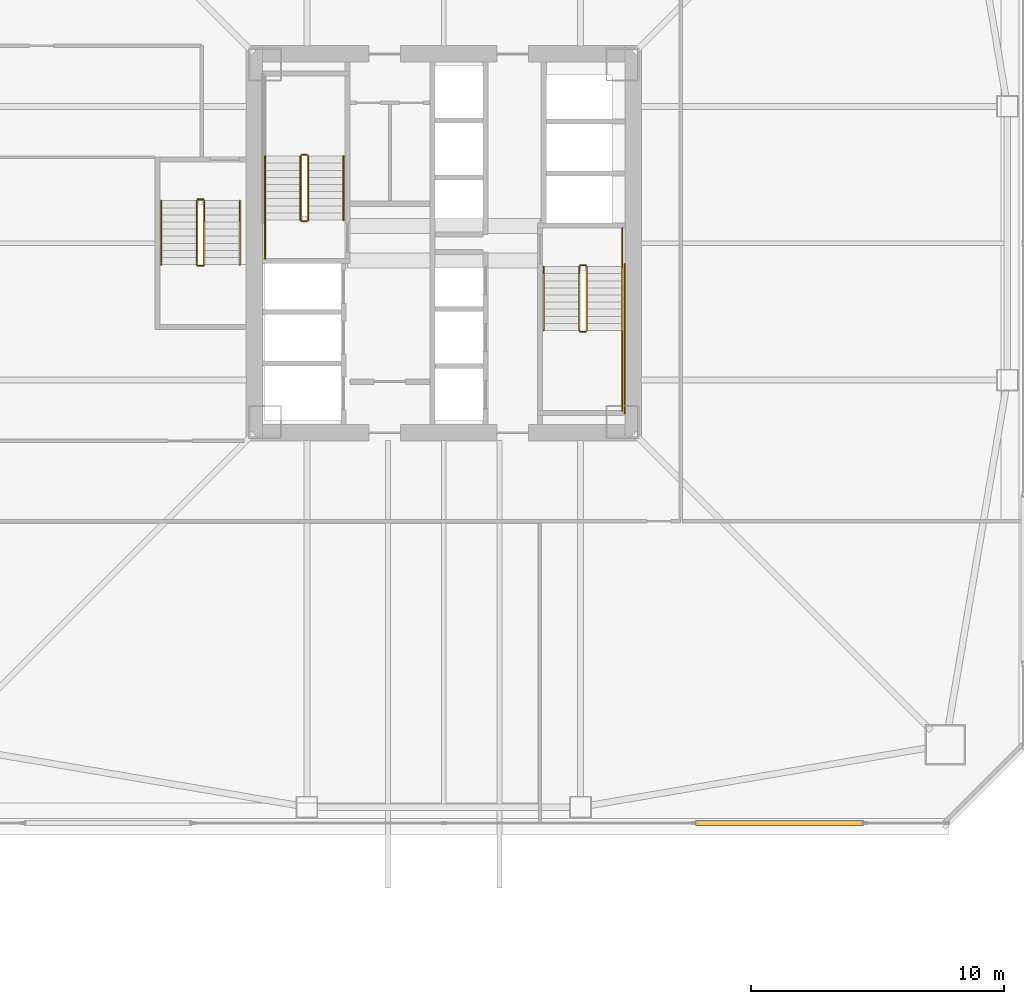
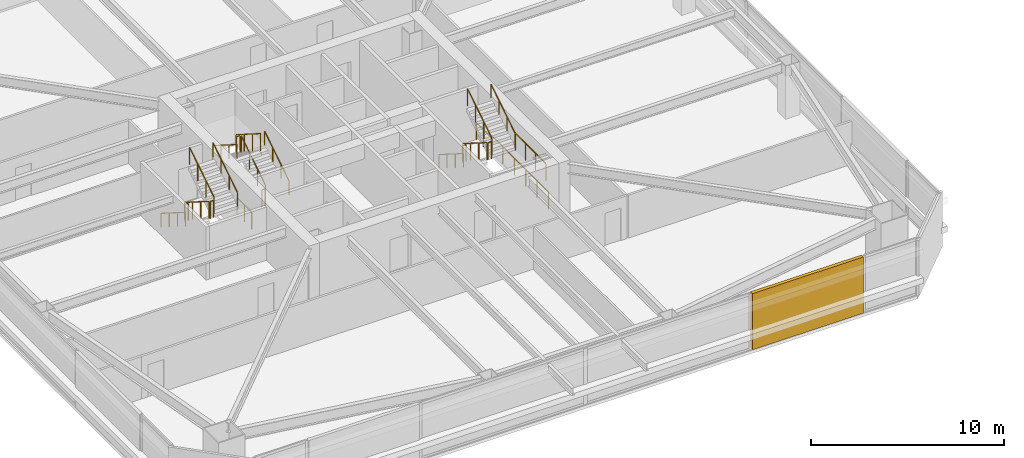
# One storey, part 43 of 48: 22 railings, 1 covering.
"""IFC4 building model written with IfcOpenShell, lengths in metres."""

import ifcopenshell
import ifcopenshell.guid

model = None  # the IFC model being written
_history = None  # IfcOwnerHistory: only IFC2X3 demands one
_inside = {}  # id of a spatial element -> (the spatial element, [elements in it])
_under = {}  # id of a project, library or spatial element -> (it, [spatial elements below it])
_declared = {}  # id of a project -> (the project, [libraries it declares])
_typed = {}  # id of a type object -> (the type object, [elements of that type])
_made_of = {}  # id of a material, layer set ... -> (it, [elements and type objects made of it])


def new_model(schema):
    """Start an empty IFC model of exactly this schema.

    Asked for "IFC4X3", IfcOpenShell would pick the latest addendum, in which some entities
    have other attributes; the version numbers below select the first issue.
    IFC2X3 requires an IfcOwnerHistory on every rooted entity: one is made here for all.
    """
    global model, _history
    if schema == "IFC4X3":
        model = ifcopenshell.file(schema_version=(4, 3, 0, 0))
    else:
        model = ifcopenshell.file(schema=schema)
    _inside.clear()
    _under.clear()
    _declared.clear()
    _typed.clear()
    _made_of.clear()
    _history = None
    if model.schema == "IFC2X3":
        org = make("IfcOrganization", Name="unknown")
        user = make(
            "IfcPersonAndOrganization",
            ThePerson=make("IfcPerson", FamilyName="unknown"),
            TheOrganization=org,
        )
        app = make(
            "IfcApplication",
            ApplicationDeveloper=org,
            Version="unknown",
            ApplicationFullName="unknown",
            ApplicationIdentifier="unknown",
        )
        _history = make(
            "IfcOwnerHistory",
            OwningUser=user,
            OwningApplication=app,
            ChangeAction="ADDED",
            CreationDate=0,
        )
    return model


def make(cls, **values):
    """One entity of the class cls with the attributes given. An attribute that is None is left unset."""
    return model.create_entity(
        cls, **{name: value for name, value in values.items() if value is not None}
    )


def rooted(cls, **values):
    """An entity with a GlobalId (a new one), such as an element, a storey or a relation."""
    return make(cls, GlobalId=ifcopenshell.guid.new(), OwnerHistory=_history, **values)


def si_unit(unit_type, name, prefix=None):
    """IfcSIUnit, for example si_unit("LENGTHUNIT", "METRE", prefix="MILLI")."""
    return make("IfcSIUnit", UnitType=unit_type, Prefix=prefix, Name=name)


def assignment(units):
    """IfcUnitAssignment: the units of a project."""
    return None if units is None else make("IfcUnitAssignment", Units=units)


def point(xyz):
    """IfcCartesianPoint."""
    return None if xyz is None else make("IfcCartesianPoint", Coordinates=xyz)


def direction(xyz):
    """IfcDirection."""
    return None if xyz is None else make("IfcDirection", DirectionRatios=xyz)


def frame(location, z_axis=None, x_axis=None):
    """IfcAxis2Placement3D, a coordinate frame: its origin and axes. An axis left out is left unset."""
    return make(
        "IfcAxis2Placement3D",
        Location=point(location),
        Axis=direction(z_axis),
        RefDirection=direction(x_axis),
    )


def frame_2d(location, x_axis=None):
    """IfcAxis2Placement2D, a coordinate frame in the plane: its origin and x axis."""
    return make(
        "IfcAxis2Placement2D", Location=point(location), RefDirection=direction(x_axis)
    )


def origin():
    """The frame at (0, 0, 0) with its axes left unset."""
    return frame((0.0, 0.0, 0.0))


def origin_2d():
    """The frame at (0, 0) in the plane with its x axis left unset."""
    return frame_2d((0.0, 0.0))


def place(relative_to, where):
    """IfcLocalPlacement: puts the frame where relative to a parent placement (None: the world)."""
    return make(
        "IfcLocalPlacement", PlacementRelTo=relative_to, RelativePlacement=where
    )


def context(
    kind, dimensions, precision=None, world=None, true_north=None, identifier=None
):
    """IfcGeometricRepresentationContext, for example the 3D "Model" context."""
    return make(
        "IfcGeometricRepresentationContext",
        ContextIdentifier=identifier,
        ContextType=kind,
        CoordinateSpaceDimension=dimensions,
        Precision=precision,
        WorldCoordinateSystem=world,
        TrueNorth=true_north,
    )


def subcontext(parent, identifier, kind, view, scale=None):
    """IfcGeometricRepresentationSubContext, for example "Body" below "Model"."""
    return make(
        "IfcGeometricRepresentationSubContext",
        ContextIdentifier=identifier,
        ContextType=kind,
        ParentContext=parent,
        TargetScale=scale,
        TargetView=view,
    )


def project(units=None, contexts=None):
    """IfcProject with its units and contexts."""
    return rooted(
        "IfcProject",
        Name="project",
        RepresentationContexts=contexts,
        UnitsInContext=assignment(units),
    )


def spatial(cls, under=None, at=None, **own):
    """A site, building, storey or space (cls), placed at a placement, below another one or the project."""
    s = rooted(cls, ObjectPlacement=at, **own)
    if under is not None:
        _under.setdefault(under.id(), (under, []))[1].append(s)
    return s


def profile(cls, at=None, kind="AREA", **sizes):
    """A parametric profile (cls). Its sizes go by their IFC names, for example OverallWidth=200.0."""
    return make(cls, ProfileType=kind, Position=at, **sizes)


def rectangle(**sizes):
    """IfcRectangleProfileDef."""
    return profile("IfcRectangleProfileDef", **sizes)


def extrude(swept, where, along, depth):
    """IfcExtrudedAreaSolid: the profile swept, set in the frame where, extruded along a direction by depth."""
    return make(
        "IfcExtrudedAreaSolid",
        SweptArea=swept,
        Position=where,
        ExtrudedDirection=direction(along),
        Depth=depth,
    )


def shape(context_of_items, identifier, shape_type, items):
    """IfcShapeRepresentation: the items that make up one representation, for example the "Body"."""
    return make(
        "IfcShapeRepresentation",
        ContextOfItems=context_of_items,
        RepresentationIdentifier=identifier,
        RepresentationType=shape_type,
        Items=items,
    )


def material(Name=None, Category=None):
    """IfcMaterial."""
    return make("IfcMaterial", Name=Name, Category=Category)


def layer(
    of_material, thickness, ventilated=None, Name=None, Category=None, Priority=None
):
    """IfcMaterialLayer: one layer of a wall or slab, of a material (None: an air gap)."""
    return make(
        "IfcMaterialLayer",
        Material=of_material,
        LayerThickness=thickness,
        IsVentilated=ventilated,
        Name=Name,
        Category=Category,
        Priority=Priority,
    )


def layer_set(layers, Name=None):
    """IfcMaterialLayerSet."""
    return make("IfcMaterialLayerSet", MaterialLayers=layers, LayerSetName=Name)


def made_of(thing, what):
    """Note that an element or type object is made of a material, layer set ...; save() writes the relation."""
    if what is not None:
        _made_of.setdefault(what.id(), (what, []))[1].append(thing)
    return thing


def type_object(cls, material=None, **own):
    """A type object (cls), such as IfcWallType, which elements share."""
    return made_of(rooted(cls, **own), material)


def element(
    cls,
    number,
    at=None,
    inside=None,
    cuts=None,
    type_object=None,
    material=None,
    context=None,
    identifier="Body",
    shape_type=None,
    held_by="IfcProductDefinitionShape",
    body=None,
    shapes=None,
    **own,
):
    """One element of the class cls, such as IfcWall. Its Tag is "e" and its number.

    at: its placement. inside: the storey or other place that contains it. cuts: it is an
    opening in that element (IfcRelVoidsElement). A single representation is given by context,
    identifier, shape_type and body (its items); several are given by shapes. held_by: the class
    of the entity that holds the representations. save() writes the other relations.
    """
    e = rooted(cls, Tag="e%d" % number, ObjectPlacement=at, **own)
    if body is not None:
        shapes = [shape(context, identifier, shape_type, body)]
    if shapes is not None:
        e.Representation = make(held_by, Representations=shapes)
    if inside is not None:
        _inside.setdefault(inside.id(), (inside, []))[1].append(e)
    if cuts is not None:
        rooted(
            "IfcRelVoidsElement", RelatingBuildingElement=cuts, RelatedOpeningElement=e
        )
    if type_object is not None:
        _typed.setdefault(type_object.id(), (type_object, []))[1].append(e)
    return made_of(e, material)


def aggregate(whole, parts):
    """IfcRelAggregates: a whole, such as a stair, and the parts it consists of."""
    return rooted("IfcRelAggregates", RelatingObject=whole, RelatedObjects=parts)


def save(model, path):
    """Write the relations noted so far, then the file.

    IfcRelAggregates (storeys below a building ...), IfcRelContainedInSpatialStructure (elements
    in a storey), IfcRelDefinesByType, IfcRelAssociatesMaterial and IfcRelDeclares: one each for
    every whole, place, type object, material and project.
    """
    for whole, parts in _under.values():
        aggregate(whole, parts)
    for where, things in _inside.values():
        rooted(
            "IfcRelContainedInSpatialStructure",
            RelatedElements=things,
            RelatingStructure=where,
        )
    for kind, things in _typed.values():
        rooted("IfcRelDefinesByType", RelatedObjects=things, RelatingType=kind)
    for what, things in _made_of.values():
        rooted("IfcRelAssociatesMaterial", RelatedObjects=things, RelatingMaterial=what)
    for by, libraries in _declared.values():
        rooted("IfcRelDeclares", RelatingContext=by, RelatedDefinitions=libraries)
    model.write(path)


model = new_model("IFC4")

# Units and contexts
model_context = context("Model", 3, precision=1e-05, world=origin(), true_north=direction((0.0, 1.0)))
body_context = subcontext(model_context, "Body", "Model", "MODEL_VIEW")
ifc_project = project(units=[si_unit("LENGTHUNIT", "METRE"), si_unit("AREAUNIT", "SQUARE_METRE"), si_unit("VOLUMEUNIT", "CUBIC_METRE"), si_unit("PLANEANGLEUNIT", "RADIAN"), si_unit("MASSUNIT", "GRAM", prefix="KILO")], contexts=[model_context])

# Site, building, storey
site_placement = place(None, origin())
site = spatial("IfcSite", under=ifc_project, at=site_placement, CompositionType="ELEMENT")
building_placement = place(site_placement, origin())
building = spatial("IfcBuilding", under=site, at=building_placement, Name="Tashvorn Skyway Center", CompositionType="ELEMENT")
storey_placement = place(building_placement, frame((0.0, 0.0, 53.0)))
storey = spatial("IfcBuildingStorey", under=building, at=storey_placement, Name="L13", CompositionType="ELEMENT", Elevation=53.0)

# Covering
ifc_material_1 = material(Name="Precast concrete C40/50", Category="concrete")
ifc_layer = layer(ifc_material_1, 0.199951171875)
ifc_layer_set = layer_set([ifc_layer], Name="Precast concrete C40/50")
covering_type = type_object("IfcCoveringType", Name="COV-BRACE-CLAD", PredefinedType="CLADDING", material=ifc_layer_set)
covering_placement = place(storey_placement, frame((55.25341796875, 9.1201171875, 0.0), z_axis=(0.0, 0.0, 1.0), x_axis=(-1.0, 0.0, 0.0)))
element("IfcCovering", 1, at=covering_placement, inside=storey, type_object=covering_type, Name="Tower 1 L13 South Unitised Curtain Wall Mega-Brace Cladding Band 1", PredefinedType="CLADDING", context=body_context, shape_type="SweptSolid", body=[
    extrude(rectangle(XDim=6.626708984375, YDim=0.199951171875, at=origin_2d()), origin(), (0.0, 0.0, 1.0), 3.550048828125),
])

# Railings
ifc_material_2 = material(Name="Brushed stainless steel 316", Category="steel")
railing_type_1 = type_object("IfcRailingType", Name="RAIL-HAND-920", PredefinedType="HANDRAIL", material=ifc_material_2)
railing_1_placement = place(storey_placement, frame((38.050048828125, 32.919921875, 0.177490234375)))
element("IfcRailing", 2, at=railing_1_placement, inside=storey, type_object=railing_type_1, Name="L13 ST-T1-1 stair handrail 1", PredefinedType="HANDRAIL", context=body_context, shape_type="SweptSolid", body=[
    extrude(rectangle(XDim=0.048095703125, YDim=0.048095703125, at=origin_2d()), frame((0.0, 0.0, 0.8759765625), z_axis=(0.0, 0.84460694969, 0.535386869969), x_axis=(-1.0, 0.0, 0.0)), (0.0, 0.0, 1.0), 2.983642578125),
    extrude(rectangle(XDim=0.0419921875, YDim=0.0419921875, at=origin_2d()), origin(), (0.0, 0.0, 1.0), 0.851806640625),
    extrude(rectangle(XDim=0.0419921875, YDim=0.0419921875, at=origin_2d()), frame((0.0, 0.840087890625, 0.532470703125)), (0.0, 0.0, 1.0), 0.851806640625),
    extrude(rectangle(XDim=0.0419921875, YDim=0.0419921875, at=origin_2d()), frame((0.0, 1.679931640625, 1.06494140625)), (0.0, 0.0, 1.0), 0.851806640625),
    extrude(rectangle(XDim=0.0419921875, YDim=0.0419921875, at=origin_2d()), frame((0.0, 2.52001953125, 1.597412109375)), (0.0, 0.0, 1.0), 0.851806640625),
])
railing_2_placement = place(storey_placement, frame((34.949951171875, 35.43994140625, 1.952392578125)))
element("IfcRailing", 3, at=railing_2_placement, inside=storey, type_object=railing_type_1, Name="L13 ST-T1-1 stair handrail 2", PredefinedType="HANDRAIL", context=body_context, shape_type="SweptSolid", body=[
    extrude(rectangle(XDim=0.048095703125, YDim=0.048095703125, at=origin_2d()), frame((0.0, 0.0, 0.8759765625), z_axis=(0.0, -0.84456994832, 0.535445237532), x_axis=(1.0, 0.0, 0.0)), (0.0, 0.0, 1.0), 2.98388671875),
    extrude(rectangle(XDim=0.0419921875, YDim=0.0419921875, at=origin_2d()), origin(), (0.0, 0.0, 1.0), 0.851806640625),
    extrude(rectangle(XDim=0.0419921875, YDim=0.0419921875, at=origin_2d()), frame((0.0, -0.840087890625, 0.532470703125)), (0.0, 0.0, 1.0), 0.851806640625),
    extrude(rectangle(XDim=0.0419921875, YDim=0.0419921875, at=origin_2d()), frame((0.0, -1.679931640625, 1.065185546875)), (0.0, 0.0, 1.0), 0.851806640625),
    extrude(rectangle(XDim=0.0419921875, YDim=0.0419921875, at=origin_2d()), frame((0.0, -2.52001953125, 1.59765625)), (0.0, 0.0, 1.0), 0.851806640625),
])
railing_3_placement = place(storey_placement, frame((45.949951171875, 31.080078125, 0.177490234375)))
element("IfcRailing", 4, at=railing_3_placement, inside=storey, type_object=railing_type_1, Name="L13 ST-T1-2 stair handrail 1", PredefinedType="HANDRAIL", context=body_context, shape_type="SweptSolid", body=[
    extrude(rectangle(XDim=0.048095703125, YDim=0.048095703125, at=origin_2d()), frame((0.0, 0.0, 0.8759765625), z_axis=(0.0, -0.84460694969, 0.535386869969), x_axis=(1.0, 0.0, 0.0)), (0.0, 0.0, 1.0), 2.983642578125),
    extrude(rectangle(XDim=0.0419921875, YDim=0.0419921875, at=origin_2d()), origin(), (0.0, 0.0, 1.0), 0.851806640625),
    extrude(rectangle(XDim=0.0419921875, YDim=0.0419921875, at=origin_2d()), frame((0.0, -0.840087890625, 0.532470703125)), (0.0, 0.0, 1.0), 0.851806640625),
    extrude(rectangle(XDim=0.0419921875, YDim=0.0419921875, at=origin_2d()), frame((0.0, -1.679931640625, 1.06494140625)), (0.0, 0.0, 1.0), 0.851806640625),
    extrude(rectangle(XDim=0.0419921875, YDim=0.0419921875, at=origin_2d()), frame((0.0, -2.52001953125, 1.597412109375)), (0.0, 0.0, 1.0), 0.851806640625),
])
railing_4_placement = place(storey_placement, frame((49.050048828125, 28.56005859375, 1.952392578125)))
element("IfcRailing", 5, at=railing_4_placement, inside=storey, type_object=railing_type_1, Name="L13 ST-T1-2 stair handrail 2", PredefinedType="HANDRAIL", context=body_context, shape_type="SweptSolid", body=[
    extrude(rectangle(XDim=0.048095703125, YDim=0.048095703125, at=origin_2d()), frame((0.0, 0.0, 0.8759765625), z_axis=(0.0, 0.84456994832, 0.535445237532), x_axis=(-1.0, 0.0, 0.0)), (0.0, 0.0, 1.0), 2.98388671875),
    extrude(rectangle(XDim=0.0419921875, YDim=0.0419921875, at=origin_2d()), origin(), (0.0, 0.0, 1.0), 0.851806640625),
    extrude(rectangle(XDim=0.0419921875, YDim=0.0419921875, at=origin_2d()), frame((0.0, 0.840087890625, 0.532470703125)), (0.0, 0.0, 1.0), 0.851806640625),
    extrude(rectangle(XDim=0.0419921875, YDim=0.0419921875, at=origin_2d()), frame((0.0, 1.679931640625, 1.065185546875)), (0.0, 0.0, 1.0), 0.851806640625),
    extrude(rectangle(XDim=0.0419921875, YDim=0.0419921875, at=origin_2d()), frame((0.0, 2.52001953125, 1.59765625)), (0.0, 0.0, 1.0), 0.851806640625),
])
railing_5_placement = place(storey_placement, frame((30.85009765625, 33.679931640625, 0.177490234375)))
element("IfcRailing", 6, at=railing_5_placement, inside=storey, type_object=railing_type_1, Name="L13 ST-T1-3 stair handrail 1", PredefinedType="HANDRAIL", context=body_context, shape_type="SweptSolid", body=[
    extrude(rectangle(XDim=0.048095703125, YDim=0.048095703125, at=origin_2d()), frame((0.0, 0.0, 0.8759765625), z_axis=(0.0, -0.84460694969, 0.535386869969), x_axis=(1.0, 0.0, 0.0)), (0.0, 0.0, 1.0), 2.983642578125),
    extrude(rectangle(XDim=0.0419921875, YDim=0.0419921875, at=origin_2d()), origin(), (0.0, 0.0, 1.0), 0.851806640625),
    extrude(rectangle(XDim=0.0419921875, YDim=0.0419921875, at=origin_2d()), frame((0.0, -0.840087890625, 0.532470703125)), (0.0, 0.0, 1.0), 0.851806640625),
    extrude(rectangle(XDim=0.0419921875, YDim=0.0419921875, at=origin_2d()), frame((0.0, -1.679931640625, 1.06494140625)), (0.0, 0.0, 1.0), 0.851806640625),
    extrude(rectangle(XDim=0.0419921875, YDim=0.0419921875, at=origin_2d()), frame((0.0, -2.52001953125, 1.597412109375)), (0.0, 0.0, 1.0), 0.851806640625),
])
railing_6_placement = place(storey_placement, frame((33.949951171875, 31.159912109375, 1.952392578125)))
element("IfcRailing", 7, at=railing_6_placement, inside=storey, type_object=railing_type_1, Name="L13 ST-T1-3 stair handrail 2", PredefinedType="HANDRAIL", context=body_context, shape_type="SweptSolid", body=[
    extrude(rectangle(XDim=0.048095703125, YDim=0.048095703125, at=origin_2d()), frame((0.0, 0.0, 0.8759765625), z_axis=(0.0, 0.84456994832, 0.535445237532), x_axis=(-1.0, 0.0, 0.0)), (0.0, 0.0, 1.0), 2.98388671875),
    extrude(rectangle(XDim=0.0419921875, YDim=0.0419921875, at=origin_2d()), origin(), (0.0, 0.0, 1.0), 0.851806640625),
    extrude(rectangle(XDim=0.0419921875, YDim=0.0419921875, at=origin_2d()), frame((0.0, 0.840087890625, 0.532470703125)), (0.0, 0.0, 1.0), 0.851806640625),
    extrude(rectangle(XDim=0.0419921875, YDim=0.0419921875, at=origin_2d()), frame((0.0, 1.679931640625, 1.065185546875)), (0.0, 0.0, 1.0), 0.851806640625),
    extrude(rectangle(XDim=0.0419921875, YDim=0.0419921875, at=origin_2d()), frame((0.0, 2.52001953125, 1.59765625)), (0.0, 0.0, 1.0), 0.851806640625),
])
ifc_material_3 = material(Name="Painted galvanized steel S355", Category="steel")
railing_type_2 = type_object("IfcRailingType", Name="RAIL-STGUARD-1100", PredefinedType="GUARDRAIL", material=ifc_material_3)
railing_7_placement = place(storey_placement, frame((36.64990234375, 32.919921875, 0.177490234375)))
element("IfcRailing", 8, at=railing_7_placement, inside=storey, type_object=railing_type_2, Name="L13 ST-T1-1 stair guard 1", PredefinedType="GUARDRAIL", context=body_context, shape_type="SweptSolid", body=[
    extrude(rectangle(XDim=0.048095703125, YDim=0.048095703125, at=origin_2d()), frame((0.0, 0.0, 1.076171875), z_axis=(0.0, 0.84460694969, 0.535386869969), x_axis=(-1.0, 0.0, 0.0)), (0.0, 0.0, 1.0), 2.983642578125),
    extrude(rectangle(XDim=0.0419921875, YDim=0.0419921875, at=origin_2d()), origin(), (0.0, 0.0, 1.0), 1.052001953125),
    extrude(rectangle(XDim=0.0419921875, YDim=0.0419921875, at=origin_2d()), frame((0.0, 0.840087890625, 0.532470703125)), (0.0, 0.0, 1.0), 1.052001953125),
    extrude(rectangle(XDim=0.0419921875, YDim=0.0419921875, at=origin_2d()), frame((0.0, 1.679931640625, 1.06494140625)), (0.0, 0.0, 1.0), 1.052001953125),
    extrude(rectangle(XDim=0.0419921875, YDim=0.0419921875, at=origin_2d()), frame((0.0, 2.52001953125, 1.597412109375)), (0.0, 0.0, 1.0), 1.052001953125),
])
railing_8_placement = place(storey_placement, frame((36.60009765625, 35.489990234375, 1.77490234375)))
element("IfcRailing", 9, at=railing_8_placement, inside=storey, type_object=railing_type_2, Name="L13 ST-T1-1 stair guard 2", PredefinedType="GUARDRAIL", context=body_context, shape_type="SweptSolid", body=[
    extrude(rectangle(XDim=0.048095703125, YDim=0.048095703125, at=origin_2d()), frame((0.0, 0.0, 1.076171875), z_axis=(-1.0, 0.0, 0.0), x_axis=(0.0, -1.0, 0.0)), (0.0, 0.0, 1.0), 0.2001953125),
    extrude(rectangle(XDim=0.0419921875, YDim=0.0419921875, at=origin_2d()), origin(), (0.0, 0.0, 1.0), 1.052001953125),
    extrude(rectangle(XDim=0.0419921875, YDim=0.0419921875, at=origin_2d()), frame((-0.2001953125, 0.0, 0.0)), (0.0, 0.0, 1.0), 1.052001953125),
])
railing_9_placement = place(storey_placement, frame((36.35009765625, 35.43994140625, 1.952392578125)))
element("IfcRailing", 10, at=railing_9_placement, inside=storey, type_object=railing_type_2, Name="L13 ST-T1-1 stair guard 4", PredefinedType="GUARDRAIL", context=body_context, shape_type="SweptSolid", body=[
    extrude(rectangle(XDim=0.048095703125, YDim=0.048095703125, at=origin_2d()), frame((0.0, 0.0, 1.076171875), z_axis=(0.0, -0.84456994832, 0.535445237532), x_axis=(1.0, 0.0, 0.0)), (0.0, 0.0, 1.0), 2.98388671875),
    extrude(rectangle(XDim=0.0419921875, YDim=0.0419921875, at=origin_2d()), origin(), (0.0, 0.0, 1.0), 1.052001953125),
    extrude(rectangle(XDim=0.0419921875, YDim=0.0419921875, at=origin_2d()), frame((0.0, -0.840087890625, 0.532470703125)), (0.0, 0.0, 1.0), 1.052001953125),
    extrude(rectangle(XDim=0.0419921875, YDim=0.0419921875, at=origin_2d()), frame((0.0, -1.679931640625, 1.065185546875)), (0.0, 0.0, 1.0), 1.052001953125),
    extrude(rectangle(XDim=0.0419921875, YDim=0.0419921875, at=origin_2d()), frame((0.0, -2.52001953125, 1.59765625)), (0.0, 0.0, 1.0), 1.052001953125),
])
railing_10_placement = place(storey_placement, frame((36.60009765625, 32.8701171875, 0.0)))
element("IfcRailing", 11, at=railing_10_placement, inside=storey, type_object=railing_type_2, Name="L13 ST-T1-1 stair guard 5", PredefinedType="GUARDRAIL", context=body_context, shape_type="SweptSolid", body=[
    extrude(rectangle(XDim=0.048095703125, YDim=0.048095703125, at=origin_2d()), frame((0.0, 0.0, 1.076171875), z_axis=(-1.0, 0.0, 0.0), x_axis=(0.0, -1.0, 0.0)), (0.0, 0.0, 1.0), 0.2001953125),
    extrude(rectangle(XDim=0.0419921875, YDim=0.0419921875, at=origin_2d()), origin(), (0.0, 0.0, 1.0), 1.052001953125),
    extrude(rectangle(XDim=0.0419921875, YDim=0.0419921875, at=origin_2d()), frame((-0.2001953125, 0.0, 0.0)), (0.0, 0.0, 1.0), 1.052001953125),
])
railing_11_placement = place(storey_placement, frame((34.949951171875, 31.39990234375, 0.0)))
element("IfcRailing", 12, at=railing_11_placement, inside=storey, type_object=railing_type_2, Name="L13 ST-T1-1 stair guard 6", PredefinedType="GUARDRAIL", context=body_context, shape_type="SweptSolid", body=[
    extrude(rectangle(XDim=0.048095703125, YDim=0.048095703125, at=origin_2d()), frame((0.0, 0.0, 1.076171875), z_axis=(0.0, 1.0, 0.0), x_axis=(-1.0, 0.0, 0.0)), (0.0, 0.0, 1.0), 1.52001953125),
    extrude(rectangle(XDim=0.0419921875, YDim=0.0419921875, at=origin_2d()), origin(), (0.0, 0.0, 1.0), 1.052001953125),
    extrude(rectangle(XDim=0.0419921875, YDim=0.0419921875, at=origin_2d()), frame((0.0, 0.760009765625, 0.0)), (0.0, 0.0, 1.0), 1.052001953125),
    extrude(rectangle(XDim=0.0419921875, YDim=0.0419921875, at=origin_2d()), frame((0.0, 1.52001953125, 0.0)), (0.0, 0.0, 1.0), 1.052001953125),
])
railing_12_placement = place(storey_placement, frame((47.35009765625, 31.080078125, 0.177490234375)))
element("IfcRailing", 13, at=railing_12_placement, inside=storey, type_object=railing_type_2, Name="L13 ST-T1-2 stair guard 1", PredefinedType="GUARDRAIL", context=body_context, shape_type="SweptSolid", body=[
    extrude(rectangle(XDim=0.048095703125, YDim=0.048095703125, at=origin_2d()), frame((0.0, 0.0, 1.076171875), z_axis=(0.0, -0.84460694969, 0.535386869969), x_axis=(1.0, 0.0, 0.0)), (0.0, 0.0, 1.0), 2.983642578125),
    extrude(rectangle(XDim=0.0419921875, YDim=0.0419921875, at=origin_2d()), origin(), (0.0, 0.0, 1.0), 1.052001953125),
    extrude(rectangle(XDim=0.0419921875, YDim=0.0419921875, at=origin_2d()), frame((0.0, -0.840087890625, 0.532470703125)), (0.0, 0.0, 1.0), 1.052001953125),
    extrude(rectangle(XDim=0.0419921875, YDim=0.0419921875, at=origin_2d()), frame((0.0, -1.679931640625, 1.06494140625)), (0.0, 0.0, 1.0), 1.052001953125),
    extrude(rectangle(XDim=0.0419921875, YDim=0.0419921875, at=origin_2d()), frame((0.0, -2.52001953125, 1.597412109375)), (0.0, 0.0, 1.0), 1.052001953125),
])
railing_13_placement = place(storey_placement, frame((47.39990234375, 28.510009765625, 1.77490234375)))
element("IfcRailing", 14, at=railing_13_placement, inside=storey, type_object=railing_type_2, Name="L13 ST-T1-2 stair guard 2", PredefinedType="GUARDRAIL", context=body_context, shape_type="SweptSolid", body=[
    extrude(rectangle(XDim=0.048095703125, YDim=0.048095703125, at=origin_2d()), frame((0.0, 0.0, 1.076171875), z_axis=(1.0, 0.0, 0.0), x_axis=(0.0, 1.0, 0.0)), (0.0, 0.0, 1.0), 0.2001953125),
    extrude(rectangle(XDim=0.0419921875, YDim=0.0419921875, at=origin_2d()), origin(), (0.0, 0.0, 1.0), 1.052001953125),
    extrude(rectangle(XDim=0.0419921875, YDim=0.0419921875, at=origin_2d()), frame((0.2001953125, 0.0, 0.0)), (0.0, 0.0, 1.0), 1.052001953125),
])
railing_14_placement = place(storey_placement, frame((49.050048828125, 28.56005859375, 1.77490234375)))
element("IfcRailing", 15, at=railing_14_placement, inside=storey, type_object=railing_type_2, Name="L13 ST-T1-2 stair guard 3", PredefinedType="GUARDRAIL", context=body_context, shape_type="SweptSolid", body=[
    extrude(rectangle(XDim=0.048095703125, YDim=0.048095703125, at=origin_2d()), frame((0.0, 0.0, 1.076171875), z_axis=(0.0, -1.0, 0.0), x_axis=(1.0, 0.0, 0.0)), (0.0, 0.0, 1.0), 3.16015625),
    extrude(rectangle(XDim=0.0419921875, YDim=0.0419921875, at=origin_2d()), origin(), (0.0, 0.0, 1.0), 1.052001953125),
    extrude(rectangle(XDim=0.0419921875, YDim=0.0419921875, at=origin_2d()), frame((0.0, -1.053466796875, 0.0)), (0.0, 0.0, 1.0), 1.052001953125),
    extrude(rectangle(XDim=0.0419921875, YDim=0.0419921875, at=origin_2d()), frame((0.0, -2.106689453125, 0.0)), (0.0, 0.0, 1.0), 1.052001953125),
    extrude(rectangle(XDim=0.0419921875, YDim=0.0419921875, at=origin_2d()), frame((0.0, -3.16015625, 0.0)), (0.0, 0.0, 1.0), 1.052001953125),
])
railing_15_placement = place(storey_placement, frame((47.64990234375, 28.56005859375, 1.952392578125)))
element("IfcRailing", 16, at=railing_15_placement, inside=storey, type_object=railing_type_2, Name="L13 ST-T1-2 stair guard 4", PredefinedType="GUARDRAIL", context=body_context, shape_type="SweptSolid", body=[
    extrude(rectangle(XDim=0.048095703125, YDim=0.048095703125, at=origin_2d()), frame((0.0, 0.0, 1.076171875), z_axis=(0.0, 0.84456994832, 0.535445237532), x_axis=(-1.0, 0.0, 0.0)), (0.0, 0.0, 1.0), 2.98388671875),
    extrude(rectangle(XDim=0.0419921875, YDim=0.0419921875, at=origin_2d()), origin(), (0.0, 0.0, 1.0), 1.052001953125),
    extrude(rectangle(XDim=0.0419921875, YDim=0.0419921875, at=origin_2d()), frame((0.0, 0.840087890625, 0.532470703125)), (0.0, 0.0, 1.0), 1.052001953125),
    extrude(rectangle(XDim=0.0419921875, YDim=0.0419921875, at=origin_2d()), frame((0.0, 1.679931640625, 1.065185546875)), (0.0, 0.0, 1.0), 1.052001953125),
    extrude(rectangle(XDim=0.0419921875, YDim=0.0419921875, at=origin_2d()), frame((0.0, 2.52001953125, 1.59765625)), (0.0, 0.0, 1.0), 1.052001953125),
])
railing_16_placement = place(storey_placement, frame((47.39990234375, 31.1298828125, 0.0)))
element("IfcRailing", 17, at=railing_16_placement, inside=storey, type_object=railing_type_2, Name="L13 ST-T1-2 stair guard 5", PredefinedType="GUARDRAIL", context=body_context, shape_type="SweptSolid", body=[
    extrude(rectangle(XDim=0.048095703125, YDim=0.048095703125, at=origin_2d()), frame((0.0, 0.0, 1.076171875), z_axis=(1.0, 0.0, 0.0), x_axis=(0.0, 1.0, 0.0)), (0.0, 0.0, 1.0), 0.2001953125),
    extrude(rectangle(XDim=0.0419921875, YDim=0.0419921875, at=origin_2d()), origin(), (0.0, 0.0, 1.0), 1.052001953125),
    extrude(rectangle(XDim=0.0419921875, YDim=0.0419921875, at=origin_2d()), frame((0.2001953125, 0.0, 0.0)), (0.0, 0.0, 1.0), 1.052001953125),
])
railing_17_placement = place(storey_placement, frame((49.050048828125, 32.60009765625, 0.0)))
element("IfcRailing", 18, at=railing_17_placement, inside=storey, type_object=railing_type_2, Name="L13 ST-T1-2 stair guard 6", PredefinedType="GUARDRAIL", context=body_context, shape_type="SweptSolid", body=[
    extrude(rectangle(XDim=0.048095703125, YDim=0.048095703125, at=origin_2d()), frame((0.0, 0.0, 1.076171875), z_axis=(0.0, -1.0, 0.0), x_axis=(1.0, 0.0, 0.0)), (0.0, 0.0, 1.0), 1.52001953125),
    extrude(rectangle(XDim=0.0419921875, YDim=0.0419921875, at=origin_2d()), origin(), (0.0, 0.0, 1.0), 1.052001953125),
    extrude(rectangle(XDim=0.0419921875, YDim=0.0419921875, at=origin_2d()), frame((0.0, -0.760009765625, 0.0)), (0.0, 0.0, 1.0), 1.052001953125),
    extrude(rectangle(XDim=0.0419921875, YDim=0.0419921875, at=origin_2d()), frame((0.0, -1.52001953125, 0.0)), (0.0, 0.0, 1.0), 1.052001953125),
])
railing_18_placement = place(storey_placement, frame((49.14990234375, 31.179931640625, 0.0)))
element("IfcRailing", 19, at=railing_18_placement, inside=storey, type_object=railing_type_2, Name="L13 ST-T1-2 stair guard 7", PredefinedType="GUARDRAIL", context=body_context, shape_type="SweptSolid", body=[
    extrude(rectangle(XDim=0.048095703125, YDim=0.048095703125, at=origin_2d()), frame((0.0, 0.0, 1.076171875), z_axis=(0.0, -1.0, 0.0), x_axis=(1.0, 0.0, 0.0)), (0.0, 0.0, 1.0), 5.8798828125),
    extrude(rectangle(XDim=0.0419921875, YDim=0.0419921875, at=origin_2d()), origin(), (0.0, 0.0, 1.0), 1.052001953125),
    extrude(rectangle(XDim=0.0419921875, YDim=0.0419921875, at=origin_2d()), frame((0.0, -1.176025390625, 0.0)), (0.0, 0.0, 1.0), 1.052001953125),
    extrude(rectangle(XDim=0.0419921875, YDim=0.0419921875, at=origin_2d()), frame((0.0, -2.35205078125, 0.0)), (0.0, 0.0, 1.0), 1.052001953125),
    extrude(rectangle(XDim=0.0419921875, YDim=0.0419921875, at=origin_2d()), frame((0.0, -3.52783203125, 0.0)), (0.0, 0.0, 1.0), 1.052001953125),
    extrude(rectangle(XDim=0.0419921875, YDim=0.0419921875, at=origin_2d()), frame((0.0, -4.703857421875, 0.0)), (0.0, 0.0, 1.0), 1.052001953125),
    extrude(rectangle(XDim=0.0419921875, YDim=0.0419921875, at=origin_2d()), frame((0.0, -5.8798828125, 0.0)), (0.0, 0.0, 1.0), 1.052001953125),
])
railing_19_placement = place(storey_placement, frame((32.25, 33.679931640625, 0.177490234375)))
element("IfcRailing", 20, at=railing_19_placement, inside=storey, type_object=railing_type_2, Name="L13 ST-T1-3 stair guard 1", PredefinedType="GUARDRAIL", context=body_context, shape_type="SweptSolid", body=[
    extrude(rectangle(XDim=0.048095703125, YDim=0.048095703125, at=origin_2d()), frame((0.0, 0.0, 1.076171875), z_axis=(0.0, -0.84460694969, 0.535386869969), x_axis=(1.0, 0.0, 0.0)), (0.0, 0.0, 1.0), 2.983642578125),
    extrude(rectangle(XDim=0.0419921875, YDim=0.0419921875, at=origin_2d()), origin(), (0.0, 0.0, 1.0), 1.052001953125),
    extrude(rectangle(XDim=0.0419921875, YDim=0.0419921875, at=origin_2d()), frame((0.0, -0.840087890625, 0.532470703125)), (0.0, 0.0, 1.0), 1.052001953125),
    extrude(rectangle(XDim=0.0419921875, YDim=0.0419921875, at=origin_2d()), frame((0.0, -1.679931640625, 1.06494140625)), (0.0, 0.0, 1.0), 1.052001953125),
    extrude(rectangle(XDim=0.0419921875, YDim=0.0419921875, at=origin_2d()), frame((0.0, -2.52001953125, 1.597412109375)), (0.0, 0.0, 1.0), 1.052001953125),
])
railing_20_placement = place(storey_placement, frame((32.300048828125, 31.110107421875, 1.77490234375)))
element("IfcRailing", 21, at=railing_20_placement, inside=storey, type_object=railing_type_2, Name="L13 ST-T1-3 stair guard 2", PredefinedType="GUARDRAIL", context=body_context, shape_type="SweptSolid", body=[
    extrude(rectangle(XDim=0.048095703125, YDim=0.048095703125, at=origin_2d()), frame((0.0, 0.0, 1.076171875), z_axis=(1.0, 0.0, 0.0), x_axis=(0.0, 1.0, 0.0)), (0.0, 0.0, 1.0), 0.199951171875),
    extrude(rectangle(XDim=0.0419921875, YDim=0.0419921875, at=origin_2d()), origin(), (0.0, 0.0, 1.0), 1.052001953125),
    extrude(rectangle(XDim=0.0419921875, YDim=0.0419921875, at=origin_2d()), frame((0.199951171875, 0.0, 0.0)), (0.0, 0.0, 1.0), 1.052001953125),
])
railing_21_placement = place(storey_placement, frame((32.550048828125, 31.159912109375, 1.952392578125)))
element("IfcRailing", 22, at=railing_21_placement, inside=storey, type_object=railing_type_2, Name="L13 ST-T1-3 stair guard 3", PredefinedType="GUARDRAIL", context=body_context, shape_type="SweptSolid", body=[
    extrude(rectangle(XDim=0.048095703125, YDim=0.048095703125, at=origin_2d()), frame((0.0, 0.0, 1.076171875), z_axis=(0.0, 0.84456994832, 0.535445237532), x_axis=(-1.0, 0.0, 0.0)), (0.0, 0.0, 1.0), 2.98388671875),
    extrude(rectangle(XDim=0.0419921875, YDim=0.0419921875, at=origin_2d()), origin(), (0.0, 0.0, 1.0), 1.052001953125),
    extrude(rectangle(XDim=0.0419921875, YDim=0.0419921875, at=origin_2d()), frame((0.0, 0.840087890625, 0.532470703125)), (0.0, 0.0, 1.0), 1.052001953125),
    extrude(rectangle(XDim=0.0419921875, YDim=0.0419921875, at=origin_2d()), frame((0.0, 1.679931640625, 1.065185546875)), (0.0, 0.0, 1.0), 1.052001953125),
    extrude(rectangle(XDim=0.0419921875, YDim=0.0419921875, at=origin_2d()), frame((0.0, 2.52001953125, 1.59765625)), (0.0, 0.0, 1.0), 1.052001953125),
])
railing_22_placement = place(storey_placement, frame((32.300048828125, 33.72998046875, 0.0)))
element("IfcRailing", 23, at=railing_22_placement, inside=storey, type_object=railing_type_2, Name="L13 ST-T1-3 stair guard 4", PredefinedType="GUARDRAIL", context=body_context, shape_type="SweptSolid", body=[
    extrude(rectangle(XDim=0.048095703125, YDim=0.048095703125, at=origin_2d()), frame((0.0, 0.0, 1.076171875), z_axis=(1.0, 0.0, 0.0), x_axis=(0.0, 1.0, 0.0)), (0.0, 0.0, 1.0), 0.199951171875),
    extrude(rectangle(XDim=0.0419921875, YDim=0.0419921875, at=origin_2d()), origin(), (0.0, 0.0, 1.0), 1.052001953125),
    extrude(rectangle(XDim=0.0419921875, YDim=0.0419921875, at=origin_2d()), frame((0.199951171875, 0.0, 0.0)), (0.0, 0.0, 1.0), 1.052001953125),
])

save(model, "model.ifc")
